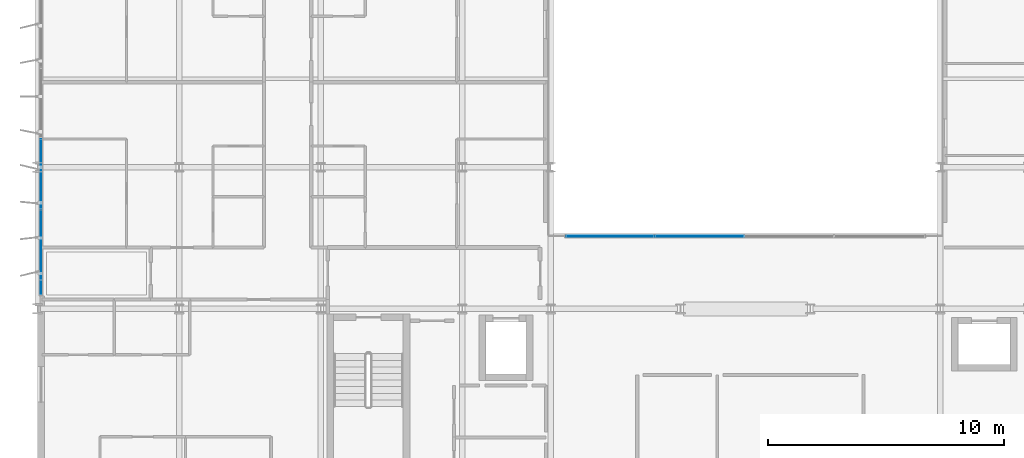
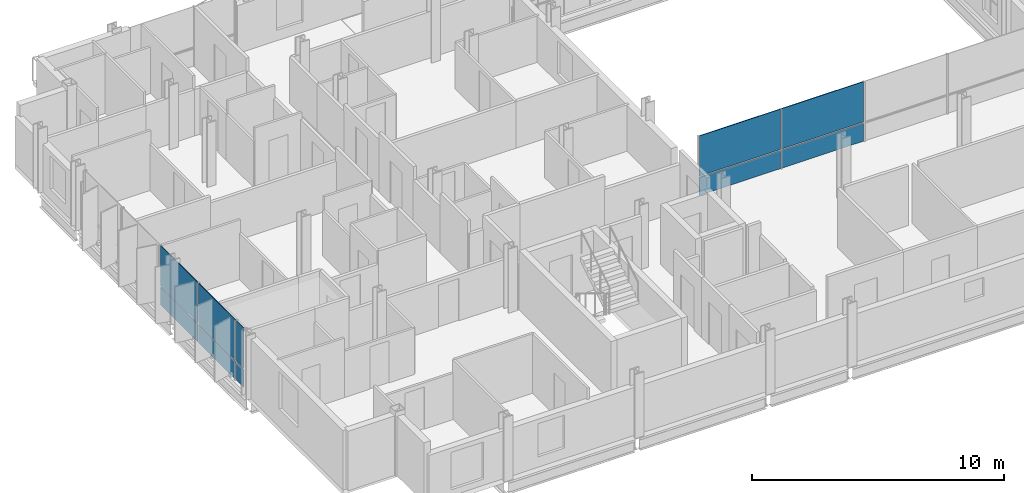
# One storey, part 22 of 39: 10 plates, 2 elements without a shape of their own.
"""IFC4 building model written with IfcOpenShell, lengths in metres."""

from ifc_helpers import new_model, si_unit, direction, frame, origin, origin_2d, place, context, subcontext, project, spatial, rectangle, extrude, material, layer, layer_set, type_object, element, aggregate, save


model = new_model("IFC4")

# Units and contexts
model_context = context("Model", 3, precision=1e-05, world=origin(), true_north=direction((0.0, 1.0)))
body_context = subcontext(model_context, "Body", "Model", "MODEL_VIEW")
ifc_project = project(units=[si_unit("LENGTHUNIT", "METRE"), si_unit("AREAUNIT", "SQUARE_METRE"), si_unit("VOLUMEUNIT", "CUBIC_METRE"), si_unit("PLANEANGLEUNIT", "RADIAN"), si_unit("MASSUNIT", "GRAM", prefix="KILO")], contexts=[model_context])

# Site, building, storey
site_placement = place(None, origin())
site = spatial("IfcSite", under=ifc_project, at=site_placement, CompositionType="ELEMENT")
building_placement = place(site_placement, origin())
building = spatial("IfcBuilding", under=site, at=building_placement, Name="Brevholm Reach", CompositionType="ELEMENT")
storey_placement = place(building_placement, frame((0.0, 0.0, 109.699951171875)))
storey = spatial("IfcBuildingStorey", under=building, at=storey_placement, Name="L32", CompositionType="ELEMENT", Elevation=109.699951171875)

# Curtain wall, plates
ifc_material_1 = material(Name="Dark Anodised Aluminium 6063-T6 and Solar-Control Glass", Category="aluminium")
ifc_layer_1 = layer(ifc_material_1, 0.14990234375)
ifc_layer_set_1 = layer_set([ifc_layer_1], Name="Dark Anodised Aluminium 6063-T6 and Solar-Control Glass")
curtain_wall_type_1 = type_object("IfcCurtainWallType", Name="CW-01", PredefinedType="NOTDEFINED", material=ifc_layer_set_1)
curtain_wall_1_placement = place(storey_placement, origin())
curtain_wall_1 = element("IfcCurtainWall", 1, at=curtain_wall_1_placement, inside=storey, type_object=curtain_wall_type_1, Name="L32 Curtain Wall CW-01", PredefinedType="NOTDEFINED")
ifc_material_2 = material(Name="Dark Solar-Control Double-Glazed IGU Glass", Category="glass")
ifc_layer_2 = layer(ifc_material_2, 0.028076171875)
ifc_layer_set_2 = layer_set([ifc_layer_2], Name="Dark Solar-Control Double-Glazed IGU Glass")
plate_type_1 = type_object("IfcPlateType", Name="CWP-GLZ-28", PredefinedType="CURTAIN_PANEL", material=ifc_layer_set_2)
plate_1_placement = place(storey_placement, frame((0.14990234375, 15.719970703125, 0.0), z_axis=(0.0, 0.0, 1.0), x_axis=(0.0, -1.0, 0.0)))
plate_1 = element("IfcPlate", 2, at=plate_1_placement, type_object=plate_type_1, Name="CP-01 Glazing Panel 3.1", PredefinedType="CURTAIN_PANEL", context=body_context, shape_type="SweptSolid", body=[
    extrude(rectangle(XDim=2.93505859375, YDim=0.028076171875, at=origin_2d()), origin(), (0.0, 0.0, 1.0), 0.867431640625),
])
plate_2_placement = place(storey_placement, frame((0.14990234375, 15.719970703125, 0.9326171875), z_axis=(0.0, 0.0, 1.0), x_axis=(0.0, -1.0, 0.0)))
plate_2 = element("IfcPlate", 3, at=plate_2_placement, type_object=plate_type_1, Name="CP-01 Glazing Panel 3.2", PredefinedType="CURTAIN_PANEL", context=body_context, shape_type="SweptSolid", body=[
    extrude(rectangle(XDim=2.93505859375, YDim=0.028076171875, at=origin_2d()), origin(), (0.0, 0.0, 1.0), 1.947509765625),
])
plate_3_placement = place(storey_placement, frame((0.14990234375, 12.719970703125, 0.0), z_axis=(0.0, 0.0, 1.0), x_axis=(0.0, -1.0, 0.0)))
plate_3 = element("IfcPlate", 4, at=plate_3_placement, type_object=plate_type_1, Name="CP-01 Glazing Panel 4.1", PredefinedType="CURTAIN_PANEL", context=body_context, shape_type="SweptSolid", body=[
    extrude(rectangle(XDim=2.93505859375, YDim=0.028076171875, at=origin_2d()), origin(), (0.0, 0.0, 1.0), 0.867431640625),
])
plate_4_placement = place(storey_placement, frame((0.14990234375, 12.719970703125, 0.9326171875), z_axis=(0.0, 0.0, 1.0), x_axis=(0.0, -1.0, 0.0)))
plate_4 = element("IfcPlate", 5, at=plate_4_placement, type_object=plate_type_1, Name="CP-01 Glazing Panel 4.2", PredefinedType="CURTAIN_PANEL", context=body_context, shape_type="SweptSolid", body=[
    extrude(rectangle(XDim=2.93505859375, YDim=0.028076171875, at=origin_2d()), origin(), (0.0, 0.0, 1.0), 1.947509765625),
])
plate_5_placement = place(storey_placement, frame((0.14990234375, 10.9013671875, 0.0), z_axis=(0.0, 0.0, 1.0), x_axis=(0.0, -1.0, 0.0)))
plate_5 = element("IfcPlate", 6, at=plate_5_placement, type_object=plate_type_1, Name="CP-01 Glazing Panel 5.1", PredefinedType="CURTAIN_PANEL", context=body_context, shape_type="SweptSolid", body=[
    extrude(rectangle(XDim=0.572509765625, YDim=0.028076171875, at=origin_2d()), origin(), (0.0, 0.0, 1.0), 0.867431640625),
])
plate_6_placement = place(storey_placement, frame((0.14990234375, 10.9013671875, 0.9326171875), z_axis=(0.0, 0.0, 1.0), x_axis=(0.0, -1.0, 0.0)))
plate_6 = element("IfcPlate", 7, at=plate_6_placement, type_object=plate_type_1, Name="CP-01 Glazing Panel 5.2", PredefinedType="CURTAIN_PANEL", context=body_context, shape_type="SweptSolid", body=[
    extrude(rectangle(XDim=0.572509765625, YDim=0.028076171875, at=origin_2d()), origin(), (0.0, 0.0, 1.0), 1.947509765625),
])
aggregate(curtain_wall_1, [plate_1, plate_2, plate_3, plate_4, plate_5, plate_6])

ifc_material_3 = material(Name="Dark Anodised Aluminium 6063-T6 and Solar-Control Glass", Category="aluminium")
ifc_layer_3 = layer(ifc_material_3, 0.139892578125)
ifc_layer_set_3 = layer_set([ifc_layer_3], Name="Dark Anodised Aluminium 6063-T6 and Solar-Control Glass")
curtain_wall_type_2 = type_object("IfcCurtainWallType", Name="CW-02", PredefinedType="NOTDEFINED", material=ifc_layer_set_3)
curtain_wall_2_placement = place(storey_placement, origin())
curtain_wall_2 = element("IfcCurtainWall", 8, at=curtain_wall_2_placement, inside=storey, type_object=curtain_wall_type_2, Name="L32 Curtain Wall CW-02", PredefinedType="NOTDEFINED")
ifc_material_4 = material(Name="Low-Iron Laminated Acoustic Glass", Category="glass")
ifc_layer_4 = layer(ifc_material_4, 0.035888671875)
ifc_layer_set_4 = layer_set([ifc_layer_4], Name="Low-Iron Laminated Acoustic Glass")
plate_type_2 = type_object("IfcPlateType", Name="CWP-GLZ-36", PredefinedType="CURTAIN_PANEL", material=ifc_layer_set_4)
plate_7_placement = place(storey_placement, frame((24.264892578125, 13.080078125, 0.0), z_axis=(0.0, 0.0, 1.0), x_axis=(1.0, 0.0, 0.0)))
plate_7 = element("IfcPlate", 9, at=plate_7_placement, type_object=plate_type_2, Name="CP-02 Glazing Panel 1.1", PredefinedType="CURTAIN_PANEL", context=body_context, shape_type="SweptSolid", body=[
    extrude(rectangle(XDim=3.7099609375, YDim=0.035888671875, at=origin_2d()), origin(), (0.0, 0.0, 1.0), 0.8701171875),
])
plate_8_placement = place(storey_placement, frame((24.264892578125, 13.080078125, 0.93017578125), z_axis=(0.0, 0.0, 1.0), x_axis=(1.0, 0.0, 0.0)))
plate_8 = element("IfcPlate", 10, at=plate_8_placement, type_object=plate_type_2, Name="CP-02 Glazing Panel 1.2", PredefinedType="CURTAIN_PANEL", context=body_context, shape_type="SweptSolid", body=[
    extrude(rectangle(XDim=3.7099609375, YDim=0.035888671875, at=origin_2d()), origin(), (0.0, 0.0, 1.0), 1.949951171875),
])
plate_9_placement = place(storey_placement, frame((28.050048828125, 13.080078125, 0.0), z_axis=(0.0, 0.0, 1.0), x_axis=(1.0, 0.0, 0.0)))
plate_9 = element("IfcPlate", 11, at=plate_9_placement, type_object=plate_type_2, Name="CP-02 Glazing Panel 2.1", PredefinedType="CURTAIN_PANEL", context=body_context, shape_type="SweptSolid", body=[
    extrude(rectangle(XDim=3.739990234375, YDim=0.035888671875, at=origin_2d()), origin(), (0.0, 0.0, 1.0), 0.8701171875),
])
plate_10_placement = place(storey_placement, frame((28.050048828125, 13.080078125, 0.93017578125), z_axis=(0.0, 0.0, 1.0), x_axis=(1.0, 0.0, 0.0)))
plate_10 = element("IfcPlate", 12, at=plate_10_placement, type_object=plate_type_2, Name="CP-02 Glazing Panel 2.2", PredefinedType="CURTAIN_PANEL", context=body_context, shape_type="SweptSolid", body=[
    extrude(rectangle(XDim=3.739990234375, YDim=0.035888671875, at=origin_2d()), origin(), (0.0, 0.0, 1.0), 1.949951171875),
])
aggregate(curtain_wall_2, [plate_7, plate_8, plate_9, plate_10])

save(model, "model.ifc")
